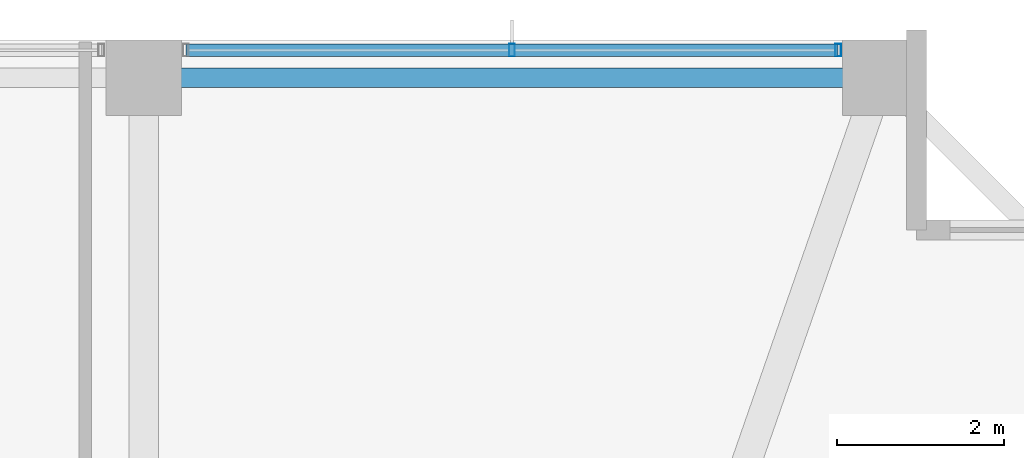
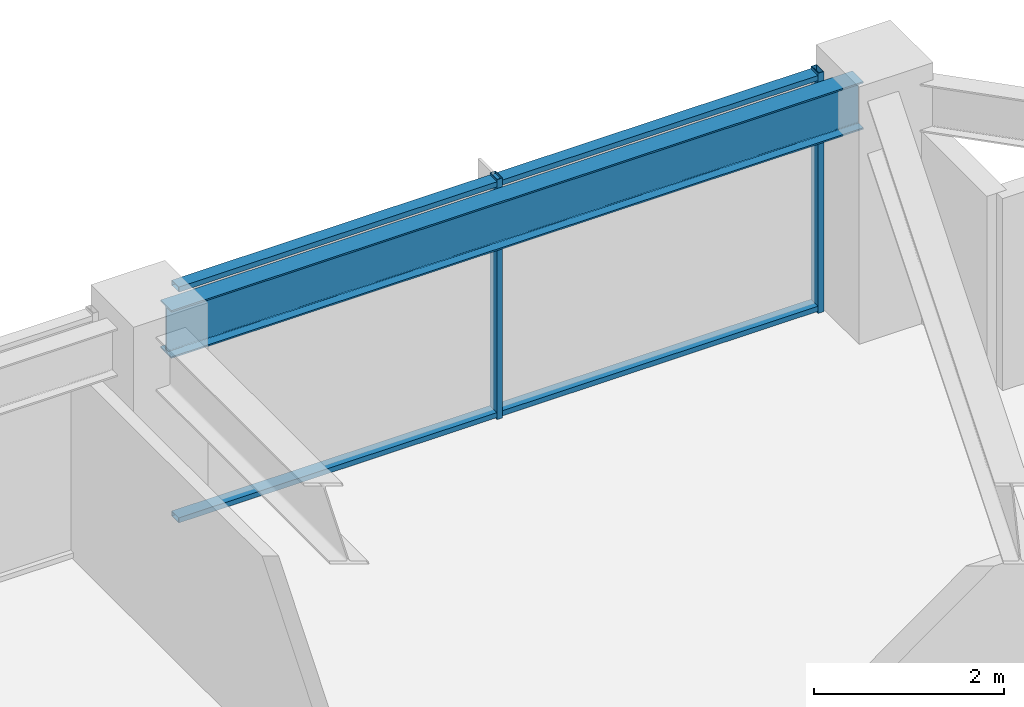
# One storey, part 20 of 34: 4 members, 1 beam, 1 element without a shape of its own.
"""IFC4 building model written with IfcOpenShell, lengths in metres."""

import ifcopenshell
import ifcopenshell.guid

model = None  # the IFC model being written
_history = None  # IfcOwnerHistory: only IFC2X3 demands one
_inside = {}  # id of a spatial element -> (the spatial element, [elements in it])
_under = {}  # id of a project, library or spatial element -> (it, [spatial elements below it])
_declared = {}  # id of a project -> (the project, [libraries it declares])
_typed = {}  # id of a type object -> (the type object, [elements of that type])
_made_of = {}  # id of a material, layer set ... -> (it, [elements and type objects made of it])


def new_model(schema):
    """Start an empty IFC model of exactly this schema.

    Asked for "IFC4X3", IfcOpenShell would pick the latest addendum, in which some entities
    have other attributes; the version numbers below select the first issue.
    IFC2X3 requires an IfcOwnerHistory on every rooted entity: one is made here for all.
    """
    global model, _history
    if schema == "IFC4X3":
        model = ifcopenshell.file(schema_version=(4, 3, 0, 0))
    else:
        model = ifcopenshell.file(schema=schema)
    _inside.clear()
    _under.clear()
    _declared.clear()
    _typed.clear()
    _made_of.clear()
    _history = None
    if model.schema == "IFC2X3":
        org = make("IfcOrganization", Name="unknown")
        user = make(
            "IfcPersonAndOrganization",
            ThePerson=make("IfcPerson", FamilyName="unknown"),
            TheOrganization=org,
        )
        app = make(
            "IfcApplication",
            ApplicationDeveloper=org,
            Version="unknown",
            ApplicationFullName="unknown",
            ApplicationIdentifier="unknown",
        )
        _history = make(
            "IfcOwnerHistory",
            OwningUser=user,
            OwningApplication=app,
            ChangeAction="ADDED",
            CreationDate=0,
        )
    return model


def make(cls, **values):
    """One entity of the class cls with the attributes given. An attribute that is None is left unset."""
    return model.create_entity(
        cls, **{name: value for name, value in values.items() if value is not None}
    )


def rooted(cls, **values):
    """An entity with a GlobalId (a new one), such as an element, a storey or a relation."""
    return make(cls, GlobalId=ifcopenshell.guid.new(), OwnerHistory=_history, **values)


def si_unit(unit_type, name, prefix=None):
    """IfcSIUnit, for example si_unit("LENGTHUNIT", "METRE", prefix="MILLI")."""
    return make("IfcSIUnit", UnitType=unit_type, Prefix=prefix, Name=name)


def assignment(units):
    """IfcUnitAssignment: the units of a project."""
    return None if units is None else make("IfcUnitAssignment", Units=units)


def point(xyz):
    """IfcCartesianPoint."""
    return None if xyz is None else make("IfcCartesianPoint", Coordinates=xyz)


def direction(xyz):
    """IfcDirection."""
    return None if xyz is None else make("IfcDirection", DirectionRatios=xyz)


def frame(location, z_axis=None, x_axis=None):
    """IfcAxis2Placement3D, a coordinate frame: its origin and axes. An axis left out is left unset."""
    return make(
        "IfcAxis2Placement3D",
        Location=point(location),
        Axis=direction(z_axis),
        RefDirection=direction(x_axis),
    )


def frame_2d(location, x_axis=None):
    """IfcAxis2Placement2D, a coordinate frame in the plane: its origin and x axis."""
    return make(
        "IfcAxis2Placement2D", Location=point(location), RefDirection=direction(x_axis)
    )


def origin():
    """The frame at (0, 0, 0) with its axes left unset."""
    return frame((0.0, 0.0, 0.0))


def origin_2d():
    """The frame at (0, 0) in the plane with its x axis left unset."""
    return frame_2d((0.0, 0.0))


def place(relative_to, where):
    """IfcLocalPlacement: puts the frame where relative to a parent placement (None: the world)."""
    return make(
        "IfcLocalPlacement", PlacementRelTo=relative_to, RelativePlacement=where
    )


def context(
    kind, dimensions, precision=None, world=None, true_north=None, identifier=None
):
    """IfcGeometricRepresentationContext, for example the 3D "Model" context."""
    return make(
        "IfcGeometricRepresentationContext",
        ContextIdentifier=identifier,
        ContextType=kind,
        CoordinateSpaceDimension=dimensions,
        Precision=precision,
        WorldCoordinateSystem=world,
        TrueNorth=true_north,
    )


def subcontext(parent, identifier, kind, view, scale=None):
    """IfcGeometricRepresentationSubContext, for example "Body" below "Model"."""
    return make(
        "IfcGeometricRepresentationSubContext",
        ContextIdentifier=identifier,
        ContextType=kind,
        ParentContext=parent,
        TargetScale=scale,
        TargetView=view,
    )


def project(units=None, contexts=None):
    """IfcProject with its units and contexts."""
    return rooted(
        "IfcProject",
        Name="project",
        RepresentationContexts=contexts,
        UnitsInContext=assignment(units),
    )


def spatial(cls, under=None, at=None, **own):
    """A site, building, storey or space (cls), placed at a placement, below another one or the project."""
    s = rooted(cls, ObjectPlacement=at, **own)
    if under is not None:
        _under.setdefault(under.id(), (under, []))[1].append(s)
    return s


def profile(cls, at=None, kind="AREA", **sizes):
    """A parametric profile (cls). Its sizes go by their IFC names, for example OverallWidth=200.0."""
    return make(cls, ProfileType=kind, Position=at, **sizes)


def hollow_rectangle(**sizes):
    """IfcRectangleHollowProfileDef."""
    return profile("IfcRectangleHollowProfileDef", **sizes)


def i_section(**sizes):
    """IfcIShapeProfileDef."""
    return profile("IfcIShapeProfileDef", **sizes)


def extrude(swept, where, along, depth):
    """IfcExtrudedAreaSolid: the profile swept, set in the frame where, extruded along a direction by depth."""
    return make(
        "IfcExtrudedAreaSolid",
        SweptArea=swept,
        Position=where,
        ExtrudedDirection=direction(along),
        Depth=depth,
    )


def shape(context_of_items, identifier, shape_type, items):
    """IfcShapeRepresentation: the items that make up one representation, for example the "Body"."""
    return make(
        "IfcShapeRepresentation",
        ContextOfItems=context_of_items,
        RepresentationIdentifier=identifier,
        RepresentationType=shape_type,
        Items=items,
    )


def material(Name=None, Category=None):
    """IfcMaterial."""
    return make("IfcMaterial", Name=Name, Category=Category)


def material_profile(
    of_material, cross_section, Name=None, Category=None, Priority=None
):
    """IfcMaterialProfile: a cross section and its material."""
    return make(
        "IfcMaterialProfile",
        Name=Name,
        Material=of_material,
        Profile=cross_section,
        Priority=Priority,
        Category=Category,
    )


def profile_set(profiles, Name=None, composite=None):
    """IfcMaterialProfileSet."""
    return make(
        "IfcMaterialProfileSet",
        Name=Name,
        MaterialProfiles=profiles,
        CompositeProfile=composite,
    )


def made_of(thing, what):
    """Note that an element or type object is made of a material, layer set ...; save() writes the relation."""
    if what is not None:
        _made_of.setdefault(what.id(), (what, []))[1].append(thing)
    return thing


def type_object(cls, material=None, **own):
    """A type object (cls), such as IfcWallType, which elements share."""
    return made_of(rooted(cls, **own), material)


def element(
    cls,
    number,
    at=None,
    inside=None,
    cuts=None,
    type_object=None,
    material=None,
    context=None,
    identifier="Body",
    shape_type=None,
    held_by="IfcProductDefinitionShape",
    body=None,
    shapes=None,
    **own,
):
    """One element of the class cls, such as IfcWall. Its Tag is "e" and its number.

    at: its placement. inside: the storey or other place that contains it. cuts: it is an
    opening in that element (IfcRelVoidsElement). A single representation is given by context,
    identifier, shape_type and body (its items); several are given by shapes. held_by: the class
    of the entity that holds the representations. save() writes the other relations.
    """
    e = rooted(cls, Tag="e%d" % number, ObjectPlacement=at, **own)
    if body is not None:
        shapes = [shape(context, identifier, shape_type, body)]
    if shapes is not None:
        e.Representation = make(held_by, Representations=shapes)
    if inside is not None:
        _inside.setdefault(inside.id(), (inside, []))[1].append(e)
    if cuts is not None:
        rooted(
            "IfcRelVoidsElement", RelatingBuildingElement=cuts, RelatedOpeningElement=e
        )
    if type_object is not None:
        _typed.setdefault(type_object.id(), (type_object, []))[1].append(e)
    return made_of(e, material)


def aggregate(whole, parts):
    """IfcRelAggregates: a whole, such as a stair, and the parts it consists of."""
    return rooted("IfcRelAggregates", RelatingObject=whole, RelatedObjects=parts)


def save(model, path):
    """Write the relations noted so far, then the file.

    IfcRelAggregates (storeys below a building ...), IfcRelContainedInSpatialStructure (elements
    in a storey), IfcRelDefinesByType, IfcRelAssociatesMaterial and IfcRelDeclares: one each for
    every whole, place, type object, material and project.
    """
    for whole, parts in _under.values():
        aggregate(whole, parts)
    for where, things in _inside.values():
        rooted(
            "IfcRelContainedInSpatialStructure",
            RelatedElements=things,
            RelatingStructure=where,
        )
    for kind, things in _typed.values():
        rooted("IfcRelDefinesByType", RelatedObjects=things, RelatingType=kind)
    for what, things in _made_of.values():
        rooted("IfcRelAssociatesMaterial", RelatedObjects=things, RelatingMaterial=what)
    for by, libraries in _declared.values():
        rooted("IfcRelDeclares", RelatingContext=by, RelatedDefinitions=libraries)
    model.write(path)


model = new_model("IFC4")

# Units and contexts
model_context = context("Model", 3, precision=1e-05, world=origin(), true_north=direction((0.0, 1.0)))
body_context = subcontext(model_context, "Body", "Model", "MODEL_VIEW")
ifc_project = project(units=[si_unit("LENGTHUNIT", "METRE"), si_unit("AREAUNIT", "SQUARE_METRE"), si_unit("VOLUMEUNIT", "CUBIC_METRE"), si_unit("PLANEANGLEUNIT", "RADIAN"), si_unit("MASSUNIT", "GRAM", prefix="KILO")], contexts=[model_context])

# Site, building, storey
site_placement = place(None, origin())
site = spatial("IfcSite", under=ifc_project, at=site_placement, CompositionType="ELEMENT")
building_placement = place(site_placement, origin())
building = spatial("IfcBuilding", under=site, at=building_placement, Name="Kolvaren Belvedere", CompositionType="ELEMENT")
storey_placement = place(building_placement, frame((0.0, 0.0, 189.89990234375)))
storey = spatial("IfcBuildingStorey", under=building, at=storey_placement, Name="L55", CompositionType="ELEMENT", Elevation=189.89990234375)

# Beam
ifc_material_1 = material(Name="Structural steel ASTM A992 Grade 50", Category="steel")
ifc_material_profile_1 = material_profile(ifc_material_1, i_section(OverallWidth=0.22900390625, OverallDepth=0.612060546875, WebThickness=0.011962890625, FlangeThickness=0.01953125, FilletRadius=0.01806640625, at=origin_2d()), Name="W24X84")
ifc_profile_set_1 = profile_set([ifc_material_profile_1], Name="Structural steel ASTM A992 Grade 50")
beam_type = type_object("IfcBeamType", Name="BM-SPAN-W24X84", PredefinedType="SPANDREL", material=ifc_profile_set_1)
beam_placement = place(storey_placement, frame((13.197509765625, 19.949951171875, 2.774169921875), z_axis=(-1.0, 0.0, 0.0), x_axis=(0.0, -1.0, 0.0)))
element("IfcBeam", 1, at=beam_placement, inside=storey, type_object=beam_type, Name="L55 Perimeter Spandrel N4-N3", PredefinedType="SPANDREL", context=body_context, shape_type="SweptSolid", body=[
    extrude(i_section(OverallWidth=0.22900390625, OverallDepth=0.612060546875, WebThickness=0.011962890625, FlangeThickness=0.01953125, FilletRadius=0.01806640625, at=origin_2d()), origin(), (0.0, 0.0, 1.0), 8.39501953125),
])

# Curtain wall, members
ifc_material_2 = material(Name="Anodised pale-metal aluminium AA 6063-T6", Category="aluminium")
curtain_wall_type = type_object("IfcCurtainWallType", Name="CW-Z5-HIGH", PredefinedType="NOTDEFINED", material=ifc_material_2)
curtain_wall_placement = place(storey_placement, origin())
curtain_wall = element("IfcCurtainWall", 2, at=curtain_wall_placement, inside=storey, type_object=curtain_wall_type, Name="L55 Unitised Curtain Wall FCW-L55-N-B3", PredefinedType="NOTDEFINED")
ifc_material_3 = material(Name="Anodised pale-metal aluminium AA 6063-T6", Category="aluminium")
ifc_material_profile_2 = material_profile(ifc_material_3, hollow_rectangle(XDim=0.070068359375, YDim=0.14990234375, WallThickness=0.004150390625, at=origin_2d()), Name="ALU-MUL-150X70")
ifc_profile_set_2 = profile_set([ifc_material_profile_2], Name="Anodised pale-metal aluminium AA 6063-T6")
member_type_1 = type_object("IfcMemberType", Name="CW-MUL-150", PredefinedType="MULLION", material=ifc_profile_set_2)
member_1_placement = place(storey_placement, frame((9.0, 20.280029296875, 0.0), z_axis=(0.0, 0.0, 1.0), x_axis=(1.0, 0.0, 0.0)))
member_1 = element("IfcMember", 3, at=member_1_placement, type_object=member_type_1, Name="FCW-L55-N-B3 Unitised Mullion 2", PredefinedType="MULLION", context=body_context, shape_type="SweptSolid", body=[
    extrude(hollow_rectangle(XDim=0.070068359375, YDim=0.14990234375, WallThickness=0.004150390625, at=origin_2d()), origin(), (0.0, 0.0, 1.0), 3.080078125),
])
member_2_placement = place(storey_placement, frame((12.89501953125, 20.280029296875, 0.0), z_axis=(0.0, 0.0, 1.0), x_axis=(1.0, 0.0, 0.0)))
member_2 = element("IfcMember", 4, at=member_2_placement, type_object=member_type_1, Name="FCW-L55-N-B3 Unitised Mullion 3", PredefinedType="MULLION", context=body_context, shape_type="SweptSolid", body=[
    extrude(hollow_rectangle(XDim=0.070068359375, YDim=0.14990234375, WallThickness=0.004150390625, at=origin_2d()), origin(), (0.0, 0.0, 1.0), 3.080078125),
])
ifc_material_4 = material(Name="Anodised pale-metal aluminium AA 6063-T6", Category="aluminium")
ifc_material_profile_3 = material_profile(ifc_material_4, hollow_rectangle(XDim=0.06494140625, YDim=0.14990234375, WallThickness=0.00390625, at=origin_2d()), Name="ALU-TRN-150X65")
ifc_profile_set_3 = profile_set([ifc_material_profile_3], Name="Anodised pale-metal aluminium AA 6063-T6")
member_type_2 = type_object("IfcMemberType", Name="CW-TRN-150", PredefinedType="USERDEFINED", material=ifc_profile_set_3)
member_3_placement = place(storey_placement, frame((5.10498046875, 20.280029296875, 0.06005859375), z_axis=(1.0, 0.0, 0.0), x_axis=(0.0, 0.0, 1.0)))
member_3 = element("IfcMember", 5, at=member_3_placement, type_object=member_type_2, Name="FCW-L55-N-B3 Sill Transom", ObjectType="TRANSOM", PredefinedType="USERDEFINED", context=body_context, shape_type="SweptSolid", body=[
    extrude(hollow_rectangle(XDim=0.06494140625, YDim=0.14990234375, WallThickness=0.00390625, at=origin_2d()), origin(), (0.0, 0.0, 1.0), 7.7900390625),
])
member_4_placement = place(storey_placement, frame((5.10498046875, 20.280029296875, 3.02001953125), z_axis=(1.0, 0.0, 0.0), x_axis=(0.0, 0.0, 1.0)))
member_4 = element("IfcMember", 6, at=member_4_placement, type_object=member_type_2, Name="FCW-L55-N-B3 Head Transom", ObjectType="TRANSOM", PredefinedType="USERDEFINED", context=body_context, shape_type="SweptSolid", body=[
    extrude(hollow_rectangle(XDim=0.06494140625, YDim=0.14990234375, WallThickness=0.00390625, at=origin_2d()), origin(), (0.0, 0.0, 1.0), 7.7900390625),
])
aggregate(curtain_wall, [member_1, member_2, member_3, member_4])

save(model, "model.ifc")
